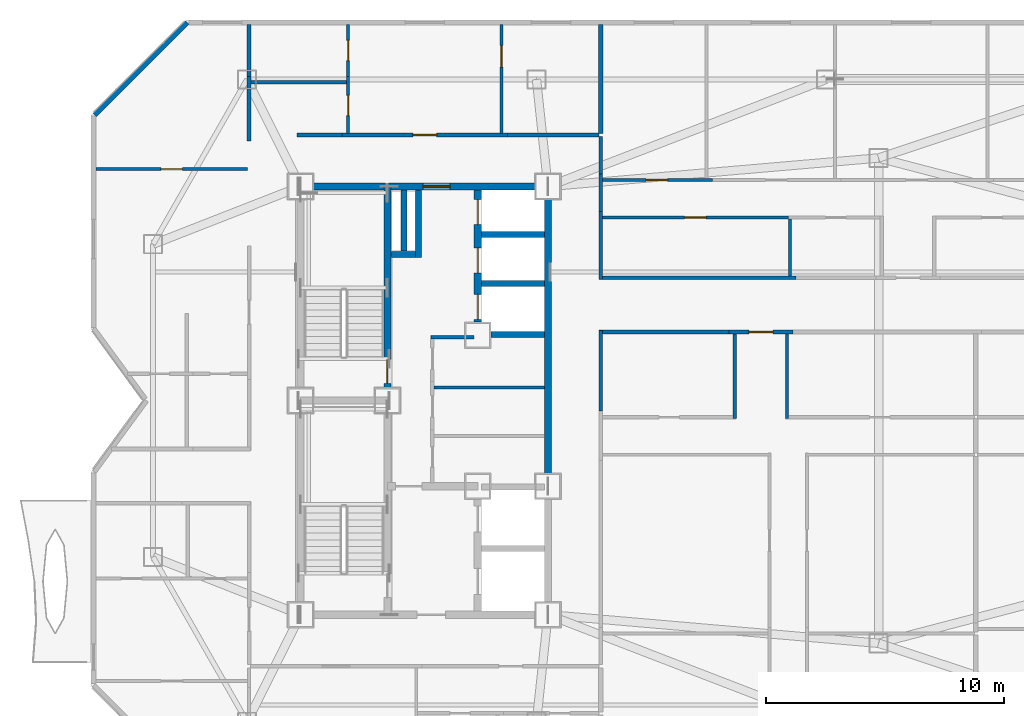
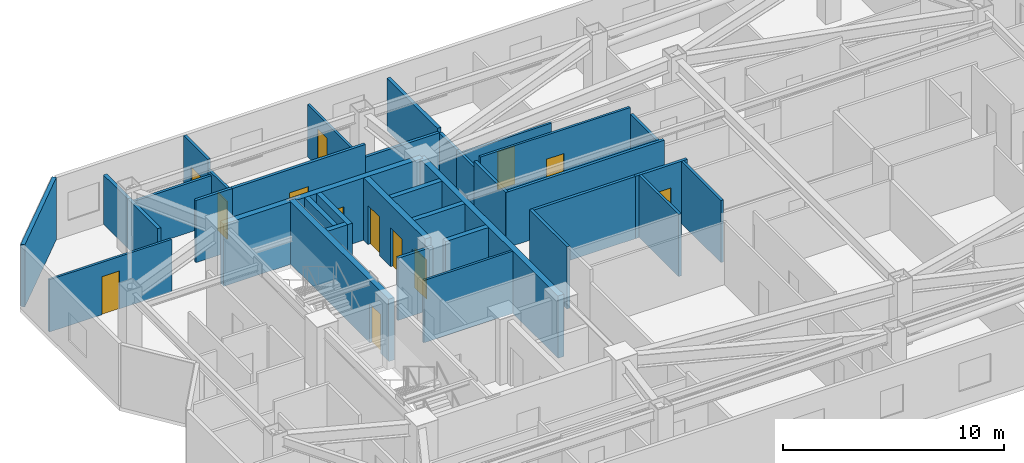
# One storey, part 6 of 10: 36 walls, 13 doors, 13 openings.
"""IFC4 building model written with IfcOpenShell, lengths in metres."""

import ifcopenshell
import ifcopenshell.guid

model = None  # the IFC model being written
_history = None  # IfcOwnerHistory: only IFC2X3 demands one
_inside = {}  # id of a spatial element -> (the spatial element, [elements in it])
_under = {}  # id of a project, library or spatial element -> (it, [spatial elements below it])
_declared = {}  # id of a project -> (the project, [libraries it declares])
_typed = {}  # id of a type object -> (the type object, [elements of that type])
_made_of = {}  # id of a material, layer set ... -> (it, [elements and type objects made of it])


def new_model(schema):
    """Start an empty IFC model of exactly this schema.

    Asked for "IFC4X3", IfcOpenShell would pick the latest addendum, in which some entities
    have other attributes; the version numbers below select the first issue.
    IFC2X3 requires an IfcOwnerHistory on every rooted entity: one is made here for all.
    """
    global model, _history
    if schema == "IFC4X3":
        model = ifcopenshell.file(schema_version=(4, 3, 0, 0))
    else:
        model = ifcopenshell.file(schema=schema)
    _inside.clear()
    _under.clear()
    _declared.clear()
    _typed.clear()
    _made_of.clear()
    _history = None
    if model.schema == "IFC2X3":
        org = make("IfcOrganization", Name="unknown")
        user = make(
            "IfcPersonAndOrganization",
            ThePerson=make("IfcPerson", FamilyName="unknown"),
            TheOrganization=org,
        )
        app = make(
            "IfcApplication",
            ApplicationDeveloper=org,
            Version="unknown",
            ApplicationFullName="unknown",
            ApplicationIdentifier="unknown",
        )
        _history = make(
            "IfcOwnerHistory",
            OwningUser=user,
            OwningApplication=app,
            ChangeAction="ADDED",
            CreationDate=0,
        )
    return model


def make(cls, **values):
    """One entity of the class cls with the attributes given. An attribute that is None is left unset."""
    return model.create_entity(
        cls, **{name: value for name, value in values.items() if value is not None}
    )


def rooted(cls, **values):
    """An entity with a GlobalId (a new one), such as an element, a storey or a relation."""
    return make(cls, GlobalId=ifcopenshell.guid.new(), OwnerHistory=_history, **values)


def si_unit(unit_type, name, prefix=None):
    """IfcSIUnit, for example si_unit("LENGTHUNIT", "METRE", prefix="MILLI")."""
    return make("IfcSIUnit", UnitType=unit_type, Prefix=prefix, Name=name)


def assignment(units):
    """IfcUnitAssignment: the units of a project."""
    return None if units is None else make("IfcUnitAssignment", Units=units)


def point(xyz):
    """IfcCartesianPoint."""
    return None if xyz is None else make("IfcCartesianPoint", Coordinates=xyz)


def direction(xyz):
    """IfcDirection."""
    return None if xyz is None else make("IfcDirection", DirectionRatios=xyz)


def frame(location, z_axis=None, x_axis=None):
    """IfcAxis2Placement3D, a coordinate frame: its origin and axes. An axis left out is left unset."""
    return make(
        "IfcAxis2Placement3D",
        Location=point(location),
        Axis=direction(z_axis),
        RefDirection=direction(x_axis),
    )


def frame_2d(location, x_axis=None):
    """IfcAxis2Placement2D, a coordinate frame in the plane: its origin and x axis."""
    return make(
        "IfcAxis2Placement2D", Location=point(location), RefDirection=direction(x_axis)
    )


def origin():
    """The frame at (0, 0, 0) with its axes left unset."""
    return frame((0.0, 0.0, 0.0))


def place(relative_to, where):
    """IfcLocalPlacement: puts the frame where relative to a parent placement (None: the world)."""
    return make(
        "IfcLocalPlacement", PlacementRelTo=relative_to, RelativePlacement=where
    )


def context(
    kind, dimensions, precision=None, world=None, true_north=None, identifier=None
):
    """IfcGeometricRepresentationContext, for example the 3D "Model" context."""
    return make(
        "IfcGeometricRepresentationContext",
        ContextIdentifier=identifier,
        ContextType=kind,
        CoordinateSpaceDimension=dimensions,
        Precision=precision,
        WorldCoordinateSystem=world,
        TrueNorth=true_north,
    )


def subcontext(parent, identifier, kind, view, scale=None):
    """IfcGeometricRepresentationSubContext, for example "Body" below "Model"."""
    return make(
        "IfcGeometricRepresentationSubContext",
        ContextIdentifier=identifier,
        ContextType=kind,
        ParentContext=parent,
        TargetScale=scale,
        TargetView=view,
    )


def project(units=None, contexts=None):
    """IfcProject with its units and contexts."""
    return rooted(
        "IfcProject",
        Name="project",
        RepresentationContexts=contexts,
        UnitsInContext=assignment(units),
    )


def spatial(cls, under=None, at=None, **own):
    """A site, building, storey or space (cls), placed at a placement, below another one or the project."""
    s = rooted(cls, ObjectPlacement=at, **own)
    if under is not None:
        _under.setdefault(under.id(), (under, []))[1].append(s)
    return s


def profile(cls, at=None, kind="AREA", **sizes):
    """A parametric profile (cls). Its sizes go by their IFC names, for example OverallWidth=200.0."""
    return make(cls, ProfileType=kind, Position=at, **sizes)


def rectangle(**sizes):
    """IfcRectangleProfileDef."""
    return profile("IfcRectangleProfileDef", **sizes)


def extrude(swept, where, along, depth):
    """IfcExtrudedAreaSolid: the profile swept, set in the frame where, extruded along a direction by depth."""
    return make(
        "IfcExtrudedAreaSolid",
        SweptArea=swept,
        Position=where,
        ExtrudedDirection=direction(along),
        Depth=depth,
    )


def shape(context_of_items, identifier, shape_type, items):
    """IfcShapeRepresentation: the items that make up one representation, for example the "Body"."""
    return make(
        "IfcShapeRepresentation",
        ContextOfItems=context_of_items,
        RepresentationIdentifier=identifier,
        RepresentationType=shape_type,
        Items=items,
    )


def material(Name=None, Category=None):
    """IfcMaterial."""
    return make("IfcMaterial", Name=Name, Category=Category)


def layer(
    of_material, thickness, ventilated=None, Name=None, Category=None, Priority=None
):
    """IfcMaterialLayer: one layer of a wall or slab, of a material (None: an air gap)."""
    return make(
        "IfcMaterialLayer",
        Material=of_material,
        LayerThickness=thickness,
        IsVentilated=ventilated,
        Name=Name,
        Category=Category,
        Priority=Priority,
    )


def layer_set(layers, Name=None):
    """IfcMaterialLayerSet."""
    return make("IfcMaterialLayerSet", MaterialLayers=layers, LayerSetName=Name)


def made_of(thing, what):
    """Note that an element or type object is made of a material, layer set ...; save() writes the relation."""
    if what is not None:
        _made_of.setdefault(what.id(), (what, []))[1].append(thing)
    return thing


def type_object(cls, material=None, **own):
    """A type object (cls), such as IfcWallType, which elements share."""
    return made_of(rooted(cls, **own), material)


def element(
    cls,
    number,
    at=None,
    inside=None,
    cuts=None,
    type_object=None,
    material=None,
    context=None,
    identifier="Body",
    shape_type=None,
    held_by="IfcProductDefinitionShape",
    body=None,
    shapes=None,
    **own,
):
    """One element of the class cls, such as IfcWall. Its Tag is "e" and its number.

    at: its placement. inside: the storey or other place that contains it. cuts: it is an
    opening in that element (IfcRelVoidsElement). A single representation is given by context,
    identifier, shape_type and body (its items); several are given by shapes. held_by: the class
    of the entity that holds the representations. save() writes the other relations.
    """
    e = rooted(cls, Tag="e%d" % number, ObjectPlacement=at, **own)
    if body is not None:
        shapes = [shape(context, identifier, shape_type, body)]
    if shapes is not None:
        e.Representation = make(held_by, Representations=shapes)
    if inside is not None:
        _inside.setdefault(inside.id(), (inside, []))[1].append(e)
    if cuts is not None:
        rooted(
            "IfcRelVoidsElement", RelatingBuildingElement=cuts, RelatedOpeningElement=e
        )
    if type_object is not None:
        _typed.setdefault(type_object.id(), (type_object, []))[1].append(e)
    return made_of(e, material)


def fill(opening, filler):
    """IfcRelFillsElement: the door or window that sits in an opening."""
    return rooted(
        "IfcRelFillsElement",
        RelatingOpeningElement=opening,
        RelatedBuildingElement=filler,
    )


def aggregate(whole, parts):
    """IfcRelAggregates: a whole, such as a stair, and the parts it consists of."""
    return rooted("IfcRelAggregates", RelatingObject=whole, RelatedObjects=parts)


def save(model, path):
    """Write the relations noted so far, then the file.

    IfcRelAggregates (storeys below a building ...), IfcRelContainedInSpatialStructure (elements
    in a storey), IfcRelDefinesByType, IfcRelAssociatesMaterial and IfcRelDeclares: one each for
    every whole, place, type object, material and project.
    """
    for whole, parts in _under.values():
        aggregate(whole, parts)
    for where, things in _inside.values():
        rooted(
            "IfcRelContainedInSpatialStructure",
            RelatedElements=things,
            RelatingStructure=where,
        )
    for kind, things in _typed.values():
        rooted("IfcRelDefinesByType", RelatedObjects=things, RelatingType=kind)
    for what, things in _made_of.values():
        rooted("IfcRelAssociatesMaterial", RelatedObjects=things, RelatingMaterial=what)
    for by, libraries in _declared.values():
        rooted("IfcRelDeclares", RelatingContext=by, RelatedDefinitions=libraries)
    model.write(path)


model = new_model("IFC4")

# Units and contexts
model_context = context("Model", 3, precision=1e-05, world=origin(), true_north=direction((0.0, 1.0)))
body_context = subcontext(model_context, "Body", "Model", "MODEL_VIEW")
ifc_project = project(units=[si_unit("LENGTHUNIT", "METRE"), si_unit("AREAUNIT", "SQUARE_METRE"), si_unit("VOLUMEUNIT", "CUBIC_METRE"), si_unit("PLANEANGLEUNIT", "RADIAN"), si_unit("MASSUNIT", "GRAM", prefix="KILO")], contexts=[model_context])

# Site, building, storey
site_placement = place(None, origin())
site = spatial("IfcSite", under=ifc_project, at=site_placement, CompositionType="ELEMENT")
building_placement = place(site_placement, origin())
building = spatial("IfcBuilding", under=site, at=building_placement, Name="Khamvora Tower", CompositionType="ELEMENT")
storey_placement = place(building_placement, frame((0.0, 0.0, 228.14990234375)))
storey = spatial("IfcBuildingStorey", under=building, at=storey_placement, Name="L58", CompositionType="ELEMENT", Elevation=228.14990234375)

# Wall, opening, door
ifc_material_1 = material(Name="Concrete C50/60", Category="concrete")
ifc_layer_1 = layer(ifc_material_1, 0.300048828125)
ifc_layer_set_1 = layer_set([ifc_layer_1], Name="Concrete C50/60")
wall_type_1 = type_object("IfcWallType", Name="WAL-CORE-300", PredefinedType="SHEAR", material=ifc_layer_set_1)
wall_1_placement = place(storey_placement, frame((29.0, 37.0, 0.0), z_axis=(0.0, 0.0, 1.0), x_axis=(1.0, 0.0, 0.0)))
wall_1 = element("IfcWall", 1, at=wall_1_placement, inside=storey, type_object=wall_type_1, Name="L58 central core north wall", PredefinedType="SHEAR", context=body_context, shape_type="SweptSolid", body=[
    extrude(rectangle(XDim=10.39990234375, YDim=0.300048828125, at=frame_2d((5.199951171875, 0.0))), origin(), (0.0, 0.0, 1.0), 3.43017578125),
])
opening_1_placement = place(wall_1_placement, frame((5.139892578125, 0.0, 0.0)))
opening_1 = element("IfcOpeningElement", 2, at=opening_1_placement, cuts=wall_1, Name="Opening D-SC1", PredefinedType="OPENING", context=body_context, shape_type="SweptSolid", body=[
    extrude(rectangle(XDim=1.14990234375, YDim=2.199951171875, at=frame_2d((0.574951171875, 1.10009765625))), frame((0.0, 0.159912109375, 0.0), z_axis=(0.0, -1.0, 0.0), x_axis=(1.0, 0.0, 0.0)), (0.0, 0.0, 1.0), 0.320068359375),
])
ifc_material_2 = material(Name="Powder-Coated Steel and Hardwood Leaf", Category="steel")
door_type_1 = type_object("IfcDoorType", Name="DOR-SCHL-1150", OperationType="NOTDEFINED", PredefinedType="DOOR", material=ifc_material_2)
door_1_placement = place(opening_1_placement, origin())
door_1 = element("IfcDoor", 3, at=door_1_placement, inside=storey, type_object=door_type_1, Name="L58 north core lobby to corridor fire door", OperationType="SINGLE_SWING_RIGHT", OverallHeight=2.199951171875, OverallWidth=1.14990234375, PredefinedType="DOOR", context=body_context, shape_type="SweptSolid", body=[
    extrude(rectangle(XDim=1.14990234375, YDim=2.199951171875, at=frame_2d((0.574951171875, 1.10009765625))), frame((0.0, 0.02490234375, 0.0), z_axis=(0.0, -1.0, 0.0), x_axis=(1.0, 0.0, 0.0)), (0.0, 0.0, 1.0), 0.050048828125),
])
fill(opening_1, door_1)

# Wall
wall_2_placement = place(storey_placement, frame((39.39990234375, 24.39990234375, 0.0), z_axis=(0.0, 0.0, 1.0), x_axis=(0.0, 1.0, 0.0)))
element("IfcWall", 4, at=wall_2_placement, inside=storey, type_object=wall_type_1, Name="L58 central core east north wall", PredefinedType="SHEAR", context=body_context, shape_type="SweptSolid", body=[
    extrude(rectangle(XDim=12.60009765625, YDim=0.300048828125, at=frame_2d((6.300048828125, 0.0))), origin(), (0.0, 0.0, 1.0), 3.43017578125),
])

# Wall, opening, door
wall_3_placement = place(storey_placement, frame((32.64990234375, 28.0, 0.0), z_axis=(0.0, 0.0, 1.0), x_axis=(0.0, 1.0, 0.0)))
wall_3 = element("IfcWall", 5, at=wall_3_placement, inside=storey, type_object=wall_type_1, Name="L58 central core stair north spine wall", PredefinedType="SHEAR", context=body_context, shape_type="SweptSolid", body=[
    extrude(rectangle(XDim=9.0, YDim=0.300048828125, at=frame_2d((4.5, 0.0))), origin(), (0.0, 0.0, 1.0), 3.43017578125),
])
opening_2_placement = place(wall_3_placement, frame((0.719970703125, 0.0, 0.0)))
opening_2 = element("IfcOpeningElement", 6, at=opening_2_placement, cuts=wall_3, Name="Opening D-ST1", PredefinedType="OPENING", context=body_context, shape_type="SweptSolid", body=[
    extrude(rectangle(XDim=1.0, YDim=2.14990234375, at=frame_2d((0.5, 1.074951171875))), frame((0.0, 0.159912109375, 0.0), z_axis=(0.0, -1.0, 0.0), x_axis=(1.0, 0.0, 0.0)), (0.0, 0.0, 1.0), 0.320068359375),
])
door_type_2 = type_object("IfcDoorType", Name="DOR-STAIR-1000", OperationType="NOTDEFINED", PredefinedType="DOOR", material=ifc_material_2)
door_2_placement = place(opening_2_placement, origin())
door_2 = element("IfcDoor", 7, at=door_2_placement, inside=storey, type_object=door_type_2, Name="L58 exit stair ST-02 fire door", OperationType="SINGLE_SWING_RIGHT", OverallHeight=2.14990234375, OverallWidth=1.0, PredefinedType="DOOR", context=body_context, shape_type="SweptSolid", body=[
    extrude(rectangle(XDim=1.0, YDim=2.14990234375, at=frame_2d((0.5, 1.074951171875))), frame((0.0, 0.02490234375, 0.0), z_axis=(0.0, -1.0, 0.0), x_axis=(1.0, 0.0, 0.0)), (0.0, 0.0, 1.0), 0.050048828125),
])
fill(opening_2, door_2)

# Wall, openings, doors
wall_4_placement = place(storey_placement, frame((36.449951171875, 31.300048828125, 0.0), z_axis=(0.0, 0.0, 1.0), x_axis=(0.0, 1.0, 0.0)))
wall_4 = element("IfcWall", 8, at=wall_4_placement, inside=storey, type_object=wall_type_1, Name="L58 central core lift bank central wall", PredefinedType="SHEAR", context=body_context, shape_type="SweptSolid", body=[
    extrude(rectangle(XDim=5.5458984375, YDim=0.300048828125, at=frame_2d((2.77294921875, 0.0))), origin(), (0.0, 0.0, 1.0), 3.43017578125),
])
opening_3_placement = place(wall_4_placement, frame((0.1201171875, 0.0, 0.0)))
opening_3 = element("IfcOpeningElement", 9, at=opening_3_placement, cuts=wall_4, Name="Opening LD-PL", PredefinedType="OPENING", context=body_context, shape_type="SweptSolid", body=[
    extrude(rectangle(XDim=1.050048828125, YDim=2.14990234375, at=frame_2d((0.52490234375, 1.074951171875))), frame((0.0, 0.159912109375, 0.0), z_axis=(0.0, -1.0, 0.0), x_axis=(1.0, 0.0, 0.0)), (0.0, 0.0, 1.0), 0.320068359375),
])
opening_4_placement = place(wall_4_placement, frame((2.074951171875, 0.0, 0.0)))
opening_4 = element("IfcOpeningElement", 10, at=opening_4_placement, cuts=wall_4, Name="Opening LD-PL", PredefinedType="OPENING", context=body_context, shape_type="SweptSolid", body=[
    extrude(rectangle(XDim=1.050048828125, YDim=2.14990234375, at=frame_2d((0.52490234375, 1.074951171875))), frame((0.0, 0.159912109375, 0.0), z_axis=(0.0, -1.0, 0.0), x_axis=(1.0, 0.0, 0.0)), (0.0, 0.0, 1.0), 0.320068359375),
])
opening_5_placement = place(wall_4_placement, frame((4.094970703125, 0.0, 0.0)))
opening_5 = element("IfcOpeningElement", 11, at=opening_5_placement, cuts=wall_4, Name="Opening LD-PL", PredefinedType="OPENING", context=body_context, shape_type="SweptSolid", body=[
    extrude(rectangle(XDim=1.050048828125, YDim=2.14990234375, at=frame_2d((0.52490234375, 1.074951171875))), frame((0.0, 0.159912109375, 0.0), z_axis=(0.0, -1.0, 0.0), x_axis=(1.0, 0.0, 0.0)), (0.0, 0.0, 1.0), 0.320068359375),
])
door_type_3 = type_object("IfcDoorType", Name="DOR-LIFT-1050", OperationType="SLIDING_TO_LEFT", PredefinedType="DOOR", material=ifc_material_2)
door_3_placement = place(opening_3_placement, origin())
door_3 = element("IfcDoor", 12, at=door_3_placement, inside=storey, type_object=door_type_3, Name="L58 lift landing sliding door PH-01", OperationType="SLIDING_TO_LEFT", OverallHeight=2.14990234375, OverallWidth=1.050048828125, PredefinedType="DOOR", context=body_context, shape_type="SweptSolid", body=[
    extrude(rectangle(XDim=1.050048828125, YDim=2.14990234375, at=frame_2d((0.52490234375, 1.074951171875))), frame((0.0, 0.02490234375, 0.0), z_axis=(0.0, -1.0, 0.0), x_axis=(1.0, 0.0, 0.0)), (0.0, 0.0, 1.0), 0.050048828125),
])
fill(opening_3, door_3)
door_4_placement = place(opening_4_placement, origin())
door_4 = element("IfcDoor", 13, at=door_4_placement, inside=storey, type_object=door_type_3, Name="L58 lift landing sliding door PH-02", OperationType="SLIDING_TO_LEFT", OverallHeight=2.14990234375, OverallWidth=1.050048828125, PredefinedType="DOOR", context=body_context, shape_type="SweptSolid", body=[
    extrude(rectangle(XDim=1.050048828125, YDim=2.14990234375, at=frame_2d((0.52490234375, 1.074951171875))), frame((0.0, 0.02490234375, 0.0), z_axis=(0.0, -1.0, 0.0), x_axis=(1.0, 0.0, 0.0)), (0.0, 0.0, 1.0), 0.050048828125),
])
fill(opening_4, door_4)
door_5_placement = place(opening_5_placement, origin())
door_5 = element("IfcDoor", 14, at=door_5_placement, inside=storey, type_object=door_type_3, Name="L58 lift landing sliding door PH-03", OperationType="SLIDING_TO_LEFT", OverallHeight=2.14990234375, OverallWidth=1.050048828125, PredefinedType="DOOR", context=body_context, shape_type="SweptSolid", body=[
    extrude(rectangle(XDim=1.050048828125, YDim=2.14990234375, at=frame_2d((0.52490234375, 1.074951171875))), frame((0.0, 0.02490234375, 0.0), z_axis=(0.0, -1.0, 0.0), x_axis=(1.0, 0.0, 0.0)), (0.0, 0.0, 1.0), 0.050048828125),
])
fill(opening_5, door_5)

# Wall
ifc_material_3 = material(Name="Fire-Rated Drywall and Steel Stud", Category="steel")
ifc_layer_2 = layer(ifc_material_3, 0.14990234375)
ifc_layer_set_2 = layer_set([ifc_layer_2], Name="Fire-Rated Drywall and Steel Stud")
wall_type_2 = type_object("IfcWallType", Name="WAL-CORR-150", PredefinedType="STANDARD", material=ifc_layer_set_2)
wall_5_placement = place(storey_placement, frame((36.300048828125, 30.6650390625, 0.0), z_axis=(0.0, 0.0, 1.0), x_axis=(-1.0, 0.0, 0.0)))
element("IfcWall", 15, at=wall_5_placement, inside=storey, type_object=wall_type_2, Name="L58 interior partition wall 003", PredefinedType="STANDARD", context=body_context, shape_type="SweptSolid", body=[
    extrude(rectangle(XDim=1.820068359375, YDim=0.14990234375, at=frame_2d((0.91015625, 0.0))), origin(), (0.0, 0.0, 1.0), 3.43017578125),
])

# Wall, opening, door
wall_6_placement = place(storey_placement, frame((30.7509765625, 39.1650390625, 0.0), z_axis=(0.0, 0.0, 1.0), x_axis=(1.0, 0.0, 0.0)))
wall_6 = element("IfcWall", 16, at=wall_6_placement, inside=storey, type_object=wall_type_2, Name="L58 interior partition wall 017", PredefinedType="STANDARD", context=body_context, shape_type="SweptSolid", body=[
    extrude(rectangle(XDim=6.947998046875, YDim=0.14990234375, at=frame_2d((3.47412109375, 0.0))), origin(), (0.0, 0.0, 1.0), 3.43017578125),
])
opening_6_placement = place(wall_6_placement, frame((2.97412109375, 0.0, 0.0)))
opening_6 = element("IfcOpeningElement", 17, at=opening_6_placement, cuts=wall_6, Name="Opening D-U1", PredefinedType="OPENING", context=body_context, shape_type="SweptSolid", body=[
    extrude(rectangle(XDim=1.0, YDim=2.14990234375, at=frame_2d((0.5, 1.074951171875))), frame((0.0, 0.0849609375, 0.0), z_axis=(0.0, -1.0, 0.0), x_axis=(1.0, 0.0, 0.0)), (0.0, 0.0, 1.0), 0.169921875),
])
door_type_4 = type_object("IfcDoorType", Name="DOR-UNIT-1000", OperationType="NOTDEFINED", PredefinedType="DOOR", material=ifc_material_2)
door_6_placement = place(opening_6_placement, origin())
door_6 = element("IfcDoor", 18, at=door_6_placement, inside=storey, type_object=door_type_4, Name="L58 interior door COR-58NAH", OperationType="SINGLE_SWING_RIGHT", OverallHeight=2.14990234375, OverallWidth=1.0, PredefinedType="DOOR", context=body_context, shape_type="SweptSolid", body=[
    extrude(rectangle(XDim=1.0, YDim=2.14990234375, at=frame_2d((0.5, 1.074951171875))), frame((0.0, 0.02490234375, 0.0), z_axis=(0.0, -1.0, 0.0), x_axis=(1.0, 0.0, 0.0)), (0.0, 0.0, 1.0), 0.050048828125),
])
fill(opening_6, door_6)

# Walls
wall_7_placement = place(storey_placement, frame((28.85009765625, 39.1650390625, 0.0), z_axis=(0.0, 0.0, 1.0), x_axis=(1.0, 0.0, 0.0)))
element("IfcWall", 19, at=wall_7_placement, inside=storey, type_object=wall_type_2, Name="L58 interior partition wall 018", PredefinedType="STANDARD", context=body_context, shape_type="SweptSolid", body=[
    extrude(rectangle(XDim=1.90087890625, YDim=0.14990234375, at=frame_2d((0.950439453125, 0.0))), origin(), (0.0, 0.0, 1.0), 3.43017578125),
])
wall_8_placement = place(storey_placement, frame((37.698974609375, 39.1650390625, 0.0), z_axis=(0.0, 0.0, 1.0), x_axis=(1.0, 0.0, 0.0)))
element("IfcWall", 20, at=wall_8_placement, inside=storey, type_object=wall_type_2, Name="L58 interior partition wall 019", PredefinedType="STANDARD", context=body_context, shape_type="SweptSolid", body=[
    extrude(rectangle(XDim=3.85107421875, YDim=0.14990234375, at=frame_2d((1.925537109375, 0.0))), origin(), (0.0, 0.0, 1.0), 2.72509765625),
])

# Wall, opening, door
wall_9_placement = place(storey_placement, frame((49.698974609375, 30.885009765625, 0.0), z_axis=(0.0, 0.0, 1.0), x_axis=(-1.0, 0.0, 0.0)))
wall_9 = element("IfcWall", 21, at=wall_9_placement, inside=storey, type_object=wall_type_2, Name="L58 interior partition wall 020", PredefinedType="STANDARD", context=body_context, shape_type="SweptSolid", body=[
    extrude(rectangle(XDim=2.697998046875, YDim=0.14990234375, at=frame_2d((1.34912109375, 0.0))), origin(), (0.0, 0.0, 1.0), 3.43017578125),
])
opening_7_placement = place(wall_9_placement, frame((0.84912109375, 0.0, 0.0)))
opening_7 = element("IfcOpeningElement", 22, at=opening_7_placement, cuts=wall_9, Name="Opening D-U1", PredefinedType="OPENING", context=body_context, shape_type="SweptSolid", body=[
    extrude(rectangle(XDim=1.0, YDim=2.14990234375, at=frame_2d((0.5, 1.074951171875))), frame((0.0, 0.0849609375, 0.0), z_axis=(0.0, -1.0, 0.0), x_axis=(1.0, 0.0, 0.0)), (0.0, 0.0, 1.0), 0.169921875),
])
door_7_placement = place(opening_7_placement, origin())
door_7 = element("IfcDoor", 23, at=door_7_placement, inside=storey, type_object=door_type_4, Name="L58 interior door COR-58EAH", OperationType="SINGLE_SWING_LEFT", OverallHeight=2.14990234375, OverallWidth=1.0, PredefinedType="DOOR", context=body_context, shape_type="SweptSolid", body=[
    extrude(rectangle(XDim=1.0, YDim=2.14990234375, at=frame_2d((0.5, 1.074951171875))), frame((0.0, 0.02490234375, 0.0), z_axis=(0.0, -1.0, 0.0), x_axis=(1.0, 0.0, 0.0)), (0.0, 0.0, 1.0), 0.050048828125),
])
fill(opening_7, door_7)

# Walls
wall_10_placement = place(storey_placement, frame((47.0009765625, 30.885009765625, 0.0), z_axis=(0.0, 0.0, 1.0), x_axis=(-1.0, 0.0, 0.0)))
element("IfcWall", 24, at=wall_10_placement, inside=storey, type_object=wall_type_2, Name="L58 interior partition wall 022", PredefinedType="STANDARD", context=body_context, shape_type="SweptSolid", body=[
    extrude(rectangle(XDim=5.450927734375, YDim=0.14990234375, at=frame_2d((2.7255859375, 0.0))), origin(), (0.0, 0.0, 1.0), 3.43017578125),
])
wall_11_placement = place(storey_placement, frame((41.614990234375, 30.947998046875, 0.0), z_axis=(0.0, 0.0, 1.0), x_axis=(0.0, -1.0, 0.0)))
element("IfcWall", 25, at=wall_11_placement, inside=storey, type_object=wall_type_2, Name="L58 interior partition wall 023", PredefinedType="STANDARD", context=body_context, shape_type="SweptSolid", body=[
    extrude(rectangle(XDim=3.39404296875, YDim=0.14990234375, at=frame_2d((1.697021484375, 0.0))), origin(), (0.0, 0.0, 1.0), 3.43017578125),
])
wall_12_placement = place(storey_placement, frame((41.614990234375, 35.944091796875, 0.0), z_axis=(0.0, 0.0, 1.0), x_axis=(0.0, -1.0, 0.0)))
element("IfcWall", 26, at=wall_12_placement, inside=storey, type_object=wall_type_2, Name="L58 interior partition wall 030", PredefinedType="STANDARD", context=body_context, shape_type="SweptSolid", body=[
    extrude(rectangle(XDim=2.843994140625, YDim=0.14990234375, at=frame_2d((1.421875, 0.0))), origin(), (0.0, 0.0, 1.0), 3.065185546875),
])
wall_13_placement = place(storey_placement, frame((41.550048828125, 33.1650390625, 0.0), z_axis=(0.0, 0.0, 1.0), x_axis=(1.0, 0.0, 0.0)))
element("IfcWall", 27, at=wall_13_placement, inside=storey, type_object=wall_type_2, Name="L58 interior partition wall 031", PredefinedType="STANDARD", context=body_context, shape_type="SweptSolid", body=[
    extrude(rectangle(XDim=8.26904296875, YDim=0.14990234375, at=frame_2d((4.134521484375, 0.0))), origin(), (0.0, 0.0, 1.0), 3.065185546875),
])
wall_14_placement = place(storey_placement, frame((41.614990234375, 37.52392578125, 0.0), z_axis=(0.0, 0.0, 1.0), x_axis=(0.0, -1.0, 0.0)))
element("IfcWall", 28, at=wall_14_placement, inside=storey, type_object=wall_type_2, Name="L58 interior partition wall 033", PredefinedType="STANDARD", context=body_context, shape_type="SweptSolid", body=[
    extrude(rectangle(XDim=1.579833984375, YDim=0.14990234375, at=frame_2d((0.7900390625, 0.0))), origin(), (0.0, 0.0, 1.0), 2.72509765625),
])
wall_15_placement = place(storey_placement, frame((41.614990234375, 39.10009765625, 0.0), z_axis=(0.0, 0.0, 1.0), x_axis=(0.0, -1.0, 0.0)))
element("IfcWall", 29, at=wall_15_placement, inside=storey, type_object=wall_type_2, Name="L58 interior partition wall 037", PredefinedType="STANDARD", context=body_context, shape_type="SweptSolid", body=[
    extrude(rectangle(XDim=1.576171875, YDim=0.14990234375, at=frame_2d((0.7880859375, 0.0))), origin(), (0.0, 0.0, 1.0), 2.72509765625),
])
ifc_material_4 = material(Name="Acoustic Double-Stud Fire Wall", Category="gypsum")
ifc_layer_3 = layer(ifc_material_4, 0.179931640625)
ifc_layer_set_3 = layer_set([ifc_layer_3], Name="Acoustic Double-Stud Fire Wall")
wall_type_3 = type_object("IfcWallType", Name="WAL-CORR-180", PredefinedType="STANDARD", material=ifc_layer_set_3)
wall_16_placement = place(storey_placement, frame((26.8349609375, 41.62890625, 0.0), z_axis=(0.0, 0.0, 1.0), x_axis=(0.0, -1.0, 0.0)))
element("IfcWall", 30, at=wall_16_placement, inside=storey, type_object=wall_type_3, Name="L58 interior partition wall 050", PredefinedType="STANDARD", context=body_context, shape_type="SweptSolid", body=[
    extrude(rectangle(XDim=2.712890625, YDim=0.179931640625, at=frame_2d((1.3564453125, 0.0))), origin(), (0.0, 0.0, 1.0), 2.72509765625),
])
wall_17_placement = place(storey_placement, frame((26.8349609375, 43.80810546875, 0.0), z_axis=(0.0, 0.0, 1.0), x_axis=(0.0, -1.0, 0.0)))
element("IfcWall", 31, at=wall_17_placement, inside=storey, type_object=wall_type_3, Name="L58 interior partition wall 051", PredefinedType="STANDARD", context=body_context, shape_type="SweptSolid", body=[
    extrude(rectangle(XDim=2.17919921875, YDim=0.179931640625, at=frame_2d((1.089599609375, 0.0))), origin(), (0.0, 0.0, 1.0), 2.72509765625),
])
wall_18_placement = place(storey_placement, frame((41.614990234375, 43.80810546875, 0.0), z_axis=(0.0, 0.0, 1.0), x_axis=(0.0, -1.0, 0.0)))
element("IfcWall", 32, at=wall_18_placement, inside=storey, type_object=wall_type_3, Name="L58 interior partition wall 061", PredefinedType="STANDARD", context=body_context, shape_type="SweptSolid", body=[
    extrude(rectangle(XDim=4.578125, YDim=0.179931640625, at=frame_2d((2.2890625, 0.0))), origin(), (0.0, 0.0, 1.0), 2.88720703125),
])
ifc_material_5 = material(Name="Precast concrete C40/50", Category="concrete")
ifc_layer_4 = layer(ifc_material_5, 0.199951171875)
ifc_layer_set_4 = layer_set([ifc_layer_4], Name="Precast concrete C40/50")
wall_type_4 = type_object("IfcWallType", Name="WAL-EXT-200", PredefinedType="STANDARD", material=ifc_layer_set_4)
wall_19_placement = place(storey_placement, frame((20.343994140625, 40.0029296875, 0.0), z_axis=(0.0, 0.0, 1.0), x_axis=(0.707106781187, 0.707106781187, 0.0)))
element("IfcWall", 33, at=wall_19_placement, inside=storey, type_object=wall_type_4, Name="L58 exterior facade wall 06.1", PredefinedType="STANDARD", context=body_context, shape_type="SweptSolid", body=[
    extrude(rectangle(XDim=5.51123046875, YDim=0.199951171875, at=frame_2d((2.755615234375, 0.0))), origin(), (0.0, 0.0, 1.0), 3.43017578125),
])
ifc_material_6 = material(Name="Gypsum Plasterboard Partition", Category="gypsum")
ifc_layer_5 = layer(ifc_material_6, 0.1201171875)
ifc_layer_set_5 = layer_set([ifc_layer_5], Name="Gypsum Plasterboard Partition")
wall_type_5 = type_object("IfcWallType", Name="WAL-PART-120", PredefinedType="PARTITIONING", material=ifc_layer_set_5)
wall_20_placement = place(storey_placement, frame((34.612060546875, 28.544921875, 0.0), z_axis=(0.0, 0.0, 1.0), x_axis=(1.0, 0.0, 0.0)))
element("IfcWall", 34, at=wall_20_placement, inside=storey, type_object=wall_type_5, Name="L58 interior partition wall 006", PredefinedType="PARTITIONING", context=body_context, shape_type="SweptSolid", body=[
    extrude(rectangle(XDim=4.64404296875, YDim=0.1201171875, at=frame_2d((2.322021484375, 0.0))), origin(), (0.0, 0.0, 1.0), 3.43017578125),
])

# Wall, opening, door
wall_21_placement = place(storey_placement, frame((20.39208984375, 37.72998046875, 0.0), z_axis=(0.0, 0.0, 1.0), x_axis=(1.0, 0.0, 0.0)))
wall_21 = element("IfcWall", 35, at=wall_21_placement, inside=storey, type_object=wall_type_5, Name="L58 interior partition wall 048", PredefinedType="PARTITIONING", context=body_context, shape_type="SweptSolid", body=[
    extrude(rectangle(XDim=6.3779296875, YDim=0.1201171875, at=frame_2d((3.18896484375, 0.0))), origin(), (0.0, 0.0, 1.0), 2.88720703125),
])
opening_8_placement = place(wall_21_placement, frame((2.739013671875, 0.0, 0.0)))
opening_8 = element("IfcOpeningElement", 36, at=opening_8_placement, cuts=wall_21, Name="Opening D-RM1", PredefinedType="OPENING", context=body_context, shape_type="SweptSolid", body=[
    extrude(rectangle(XDim=0.89990234375, YDim=2.10009765625, at=frame_2d((0.449951171875, 1.050048828125))), frame((0.0, 0.070068359375, 0.0), z_axis=(0.0, -1.0, 0.0), x_axis=(1.0, 0.0, 0.0)), (0.0, 0.0, 1.0), 0.14013671875),
])
door_type_5 = type_object("IfcDoorType", Name="DOR-ROOM-900", OperationType="NOTDEFINED", PredefinedType="DOOR", material=ifc_material_2)
door_8_placement = place(opening_8_placement, origin())
door_8 = element("IfcDoor", 37, at=door_8_placement, inside=storey, type_object=door_type_5, Name="L58 interior door 58WCH-58WCR1", OperationType="SINGLE_SWING_RIGHT", OverallHeight=2.10009765625, OverallWidth=0.89990234375, PredefinedType="DOOR", context=body_context, shape_type="SweptSolid", body=[
    extrude(rectangle(XDim=0.89990234375, YDim=2.10009765625, at=frame_2d((0.449951171875, 1.050048828125))), frame((0.0, 0.02490234375, 0.0), z_axis=(0.0, -1.0, 0.0), x_axis=(1.0, 0.0, 0.0)), (0.0, 0.0, 1.0), 0.050048828125),
])
fill(opening_8, door_8)

wall_22_placement = place(storey_placement, frame((37.449951171875, 43.80810546875, 0.0), z_axis=(0.0, 0.0, 1.0), x_axis=(0.0, -1.0, 0.0)))
wall_22 = element("IfcWall", 38, at=wall_22_placement, inside=storey, type_object=wall_type_5, Name="L58 interior partition wall 059", PredefinedType="PARTITIONING", context=body_context, shape_type="SweptSolid", body=[
    extrude(rectangle(XDim=4.576171875, YDim=0.1201171875, at=frame_2d((2.2880859375, 0.0))), origin(), (0.0, 0.0, 1.0), 2.88720703125),
])
opening_9_placement = place(wall_22_placement, frame((0.884033203125, 0.0, 0.0)))
opening_9 = element("IfcOpeningElement", 39, at=opening_9_placement, cuts=wall_22, Name="Opening D-RM1", PredefinedType="OPENING", context=body_context, shape_type="SweptSolid", body=[
    extrude(rectangle(XDim=0.89990234375, YDim=2.10009765625, at=frame_2d((0.449951171875, 1.050048828125))), frame((0.0, 0.070068359375, 0.0), z_axis=(0.0, -1.0, 0.0), x_axis=(1.0, 0.0, 0.0)), (0.0, 0.0, 1.0), 0.14013671875),
])
door_9_placement = place(opening_9_placement, origin())
door_9 = element("IfcDoor", 40, at=door_9_placement, inside=storey, type_object=door_type_5, Name="L58 interior door 58NAH-58NAR1", OperationType="SINGLE_SWING_LEFT", OverallHeight=2.10009765625, OverallWidth=0.89990234375, PredefinedType="DOOR", context=body_context, shape_type="SweptSolid", body=[
    extrude(rectangle(XDim=0.89990234375, YDim=2.10009765625, at=frame_2d((0.449951171875, 1.050048828125))), frame((0.0, 0.02490234375, 0.0), z_axis=(0.0, -1.0, 0.0), x_axis=(1.0, 0.0, 0.0)), (0.0, 0.0, 1.0), 0.050048828125),
])
fill(opening_9, door_9)

wall_23_placement = place(storey_placement, frame((41.681884765625, 35.695068359375, 0.0), z_axis=(0.0, 0.0, 1.0), x_axis=(1.0, 0.0, 0.0)))
wall_23 = element("IfcWall", 41, at=wall_23_placement, inside=storey, type_object=wall_type_5, Name="L58 interior partition wall 091", PredefinedType="PARTITIONING", context=body_context, shape_type="SweptSolid", body=[
    extrude(rectangle(XDim=7.822998046875, YDim=0.1201171875, at=frame_2d((3.91162109375, 0.0))), origin(), (0.0, 0.0, 1.0), 3.43017578125),
])
opening_10_placement = place(wall_23_placement, frame((3.4619140625, 0.0, 0.0)))
opening_10 = element("IfcOpeningElement", 42, at=opening_10_placement, cuts=wall_23, Name="Opening D-RM1", PredefinedType="OPENING", context=body_context, shape_type="SweptSolid", body=[
    extrude(rectangle(XDim=0.89990234375, YDim=2.10009765625, at=frame_2d((0.449951171875, 1.050048828125))), frame((0.0, 0.070068359375, 0.0), z_axis=(0.0, -1.0, 0.0), x_axis=(1.0, 0.0, 0.0)), (0.0, 0.0, 1.0), 0.14013671875),
])
door_10_placement = place(opening_10_placement, origin())
door_10 = element("IfcDoor", 43, at=door_10_placement, inside=storey, type_object=door_type_5, Name="L58 interior door 58ECW1-58ECH", OperationType="SINGLE_SWING_LEFT", OverallHeight=2.10009765625, OverallWidth=0.89990234375, PredefinedType="DOOR", context=body_context, shape_type="SweptSolid", body=[
    extrude(rectangle(XDim=0.89990234375, YDim=2.10009765625, at=frame_2d((0.449951171875, 1.050048828125))), frame((0.0, 0.02490234375, 0.0), z_axis=(0.0, -1.0, 0.0), x_axis=(1.0, 0.0, 0.0)), (0.0, 0.0, 1.0), 0.050048828125),
])
fill(opening_10, door_10)

wall_24_placement = place(storey_placement, frame((41.681884765625, 37.27490234375, 0.0), z_axis=(0.0, 0.0, 1.0), x_axis=(1.0, 0.0, 0.0)))
wall_24 = element("IfcWall", 44, at=wall_24_placement, inside=storey, type_object=wall_type_5, Name="L58 interior partition wall 099", PredefinedType="PARTITIONING", context=body_context, shape_type="SweptSolid", body=[
    extrude(rectangle(XDim=4.63720703125, YDim=0.1201171875, at=frame_2d((2.318603515625, 0.0))), origin(), (0.0, 0.0, 1.0), 2.72509765625),
])
opening_11_placement = place(wall_24_placement, frame((1.846923828125, 0.0, 0.0)))
opening_11 = element("IfcOpeningElement", 45, at=opening_11_placement, cuts=wall_24, Name="Opening D-RM1", PredefinedType="OPENING", context=body_context, shape_type="SweptSolid", body=[
    extrude(rectangle(XDim=0.89990234375, YDim=2.10009765625, at=frame_2d((0.449951171875, 1.050048828125))), frame((0.0, 0.070068359375, 0.0), z_axis=(0.0, -1.0, 0.0), x_axis=(1.0, 0.0, 0.0)), (0.0, 0.0, 1.0), 0.14013671875),
])
door_11_placement = place(opening_11_placement, origin())
door_11 = element("IfcDoor", 46, at=door_11_placement, inside=storey, type_object=door_type_5, Name="L58 interior door 58ECH-58ECL", OperationType="SINGLE_SWING_LEFT", OverallHeight=2.10009765625, OverallWidth=0.89990234375, PredefinedType="DOOR", context=body_context, shape_type="SweptSolid", body=[
    extrude(rectangle(XDim=0.89990234375, YDim=2.10009765625, at=frame_2d((0.449951171875, 1.050048828125))), frame((0.0, 0.02490234375, 0.0), z_axis=(0.0, -1.0, 0.0), x_axis=(1.0, 0.0, 0.0)), (0.0, 0.0, 1.0), 0.050048828125),
])
fill(opening_11, door_11)

# Walls
ifc_material_7 = material(Name="Concrete C40/50", Category="concrete")
ifc_layer_6 = layer(ifc_material_7, 0.25)
ifc_layer_set_6 = layer_set([ifc_layer_6], Name="Concrete C40/50")
wall_type_6 = type_object("IfcWallType", Name="WAL-PODS-250", PredefinedType="SHEAR", material=ifc_layer_set_6)
wall_25_placement = place(storey_placement, frame((37.00390625, 30.77490234375, 0.0), z_axis=(0.0, 0.0, 1.0), x_axis=(1.0, 0.0, 0.0)))
element("IfcWall", 47, at=wall_25_placement, inside=storey, type_object=wall_type_6, Name="L58 high-rise lift shaft south enclosure wall PH-01", PredefinedType="SHEAR", context=body_context, shape_type="SweptSolid", body=[
    extrude(rectangle(XDim=2.2421875, YDim=0.25, at=frame_2d((1.12109375, 0.0))), origin(), (0.0, 0.0, 1.0), 3.43017578125),
])
for number, where, z_axis, x_axis, name in (
    (48, (36.60400390625, 32.925048828125, 0.0), (0.0, 0.0, 1.0), (1.0, 0.0, 0.0), "L58 lift shaft divider wall PH-01"),
    (49, (36.60400390625, 34.97509765625, 0.0), (0.0, 0.0, 1.0), (1.0, 0.0, 0.0), "L58 lift shaft divider wall PH-02"),
):
    element("IfcWall", number, at=place(storey_placement, frame(where, z_axis=z_axis, x_axis=x_axis)), inside=storey, type_object=wall_type_6, Name=name, PredefinedType="SHEAR", context=body_context, shape_type="SweptSolid", body=[
        extrude(rectangle(XDim=2.64208984375, YDim=0.25, at=frame_2d((1.321044921875, 0.0))), origin(), (0.0, 0.0, 1.0), 3.43017578125),
    ])
wall_26_placement = place(storey_placement, frame((33.955078125, 34.02490234375, 0.0), z_axis=(0.0, 0.0, 1.0), x_axis=(0.0, 1.0, 0.0)))
element("IfcWall", 50, at=wall_26_placement, inside=storey, type_object=wall_type_6, Name="L58 vertical MEP riser shaft east enclosure wall", PredefinedType="SHEAR", context=body_context, shape_type="SweptSolid", body=[
    extrude(rectangle(XDim=2.821044921875, YDim=0.25, at=frame_2d((1.41064453125, 0.0))), origin(), (0.0, 0.0, 1.0), 3.43017578125),
])
wall_27_placement = place(storey_placement, frame((32.803955078125, 34.14990234375, 0.0), z_axis=(0.0, 0.0, 1.0), x_axis=(1.0, 0.0, 0.0)))
element("IfcWall", 51, at=wall_27_placement, inside=storey, type_object=wall_type_6, Name="L58 vertical MEP riser shaft south enclosure wall", PredefinedType="SHEAR", context=body_context, shape_type="SweptSolid", body=[
    extrude(rectangle(XDim=1.02197265625, YDim=0.25, at=frame_2d((0.510986328125, 0.0))), origin(), (0.0, 0.0, 1.0), 3.43017578125),
])
wall_28_placement = place(storey_placement, frame((33.340087890625, 34.279052734375, 0.0), z_axis=(0.0, 0.0, 1.0), x_axis=(0.0, 1.0, 0.0)))
element("IfcWall", 52, at=wall_28_placement, inside=storey, type_object=wall_type_6, Name="L58 vertical MEP riser shaft divider enclosure wall", PredefinedType="SHEAR", context=body_context, shape_type="SweptSolid", body=[
    extrude(rectangle(XDim=2.56689453125, YDim=0.25, at=frame_2d((1.283447265625, 0.0))), origin(), (0.0, 0.0, 1.0), 3.43017578125),
])

# Wall, opening, door
ifc_material_8 = material(Name="Moisture-Resistant Plasterboard Partition", Category="gypsum")
ifc_layer_7 = layer(ifc_material_8, 0.135009765625)
ifc_layer_set_7 = layer_set([ifc_layer_7], Name="Moisture-Resistant Plasterboard Partition")
wall_type_7 = type_object("IfcWallType", Name="WAL-WET-135", PredefinedType="PARTITIONING", material=ifc_layer_set_7)
wall_29_placement = place(storey_placement, frame((31.0, 39.23193359375, 0.0), z_axis=(0.0, 0.0, 1.0), x_axis=(0.0, 1.0, 0.0)))
wall_29 = element("IfcWall", 53, at=wall_29_placement, inside=storey, type_object=wall_type_7, Name="L58 interior partition wall 057", PredefinedType="PARTITIONING", context=body_context, shape_type="SweptSolid", body=[
    extrude(rectangle(XDim=2.39697265625, YDim=0.135009765625, at=frame_2d((1.198486328125, 0.0))), origin(), (0.0, 0.0, 1.0), 2.88720703125),
])
opening_12_placement = place(wall_29_placement, frame((0.751953125, 0.0, 0.0)))
opening_12 = element("IfcOpeningElement", 54, at=opening_12_placement, cuts=wall_29, Name="Opening D-WC1", PredefinedType="OPENING", context=body_context, shape_type="SweptSolid", body=[
    extrude(rectangle(XDim=0.85009765625, YDim=2.10009765625, at=frame_2d((0.425048828125, 1.050048828125))), frame((0.0, 0.077392578125, 0.0), z_axis=(0.0, -1.0, 0.0), x_axis=(1.0, 0.0, 0.0)), (0.0, 0.0, 1.0), 0.155029296875),
])
door_type_6 = type_object("IfcDoorType", Name="DOR-WET-850", OperationType="NOTDEFINED", PredefinedType="DOOR", material=ifc_material_2)
door_12_placement = place(opening_12_placement, origin())
door_12 = element("IfcDoor", 55, at=door_12_placement, inside=storey, type_object=door_type_6, Name="L58 interior door 58NAH-58NAB", OperationType="SINGLE_SWING_RIGHT", OverallHeight=2.10009765625, OverallWidth=0.85009765625, PredefinedType="DOOR", context=body_context, shape_type="SweptSolid", body=[
    extrude(rectangle(XDim=0.85009765625, YDim=2.10009765625, at=frame_2d((0.425048828125, 1.050048828125))), frame((0.0, 0.02490234375, 0.0), z_axis=(0.0, -1.0, 0.0), x_axis=(1.0, 0.0, 0.0)), (0.0, 0.0, 1.0), 0.050048828125),
])
fill(opening_12, door_12)

wall_30_placement = place(storey_placement, frame((31.0, 41.62890625, 0.0), z_axis=(0.0, 0.0, 1.0), x_axis=(0.0, 1.0, 0.0)))
wall_30 = element("IfcWall", 56, at=wall_30_placement, inside=storey, type_object=wall_type_7, Name="L58 interior partition wall 058", PredefinedType="PARTITIONING", context=body_context, shape_type="SweptSolid", body=[
    extrude(rectangle(XDim=2.17919921875, YDim=0.135009765625, at=frame_2d((1.089599609375, 0.0))), origin(), (0.0, 0.0, 1.0), 3.43017578125),
])
opening_13_placement = place(wall_30_placement, frame((0.6640625, 0.0, 0.0)))
opening_13 = element("IfcOpeningElement", 57, at=opening_13_placement, cuts=wall_30, Name="Opening D-RM2", PredefinedType="OPENING", context=body_context, shape_type="SweptSolid", body=[
    extrude(rectangle(XDim=0.85009765625, YDim=2.10009765625, at=frame_2d((0.425048828125, 1.050048828125))), frame((0.0, 0.077392578125, 0.0), z_axis=(0.0, -1.0, 0.0), x_axis=(1.0, 0.0, 0.0)), (0.0, 0.0, 1.0), 0.155029296875),
])
door_type_7 = type_object("IfcDoorType", Name="DOR-ROOM-850", OperationType="NOTDEFINED", PredefinedType="DOOR", material=ifc_material_2)
door_13_placement = place(opening_13_placement, origin())
door_13 = element("IfcDoor", 58, at=door_13_placement, inside=storey, type_object=door_type_7, Name="L58 interior door 58NAH-58NAK", OperationType="SINGLE_SWING_LEFT", OverallHeight=2.10009765625, OverallWidth=0.85009765625, PredefinedType="DOOR", context=body_context, shape_type="SweptSolid", body=[
    extrude(rectangle(XDim=0.85009765625, YDim=2.10009765625, at=frame_2d((0.425048828125, 1.050048828125))), frame((0.0, 0.02490234375, 0.0), z_axis=(0.0, -1.0, 0.0), x_axis=(1.0, 0.0, 0.0)), (0.0, 0.0, 1.0), 0.050048828125),
])
fill(opening_13, door_13)

# Walls
wall_31_placement = place(storey_placement, frame((26.9169921875, 41.3798828125, 0.0), z_axis=(0.0, 0.0, 1.0), x_axis=(1.0, 0.0, 0.0)))
element("IfcWall", 59, at=wall_31_placement, inside=storey, type_object=wall_type_7, Name="L58 interior partition wall 060", PredefinedType="PARTITIONING", context=body_context, shape_type="SweptSolid", body=[
    extrude(rectangle(XDim=4.02197265625, YDim=0.135009765625, at=frame_2d((2.010986328125, 0.0))), origin(), (0.0, 0.0, 1.0), 2.72509765625),
])
for number, where, z_axis, x_axis, name in (
    (60, (47.25, 27.239990234375, 0.0), (0.0, 0.0, 1.0), (0.0, 1.0, 0.0), "L58 interior partition wall 063"),
    (61, (49.449951171875, 30.820068359375, 0.0), (0.0, 0.0, 1.0), (0.0, -1.0, 0.0), "L58 interior partition wall 064"),
):
    element("IfcWall", number, at=place(storey_placement, frame(where, z_axis=z_axis, x_axis=x_axis)), inside=storey, type_object=wall_type_7, Name=name, PredefinedType="PARTITIONING", context=body_context, shape_type="SweptSolid", body=[
        extrude(rectangle(XDim=3.580078125, YDim=0.135009765625, at=frame_2d((1.7900390625, 0.0))), origin(), (0.0, 0.0, 1.0), 3.43017578125),
    ])
wall_32_placement = place(storey_placement, frame((49.570068359375, 35.6298828125, 0.0), z_axis=(0.0, 0.0, 1.0), x_axis=(0.0, -1.0, 0.0)))
element("IfcWall", 62, at=wall_32_placement, inside=storey, type_object=wall_type_7, Name="L58 interior partition wall 092", PredefinedType="PARTITIONING", context=body_context, shape_type="SweptSolid", body=[
    extrude(rectangle(XDim=2.39794921875, YDim=0.135009765625, at=frame_2d((1.198974609375, 0.0))), origin(), (0.0, 0.0, 1.0), 3.065185546875),
])

save(model, "model.ifc")
